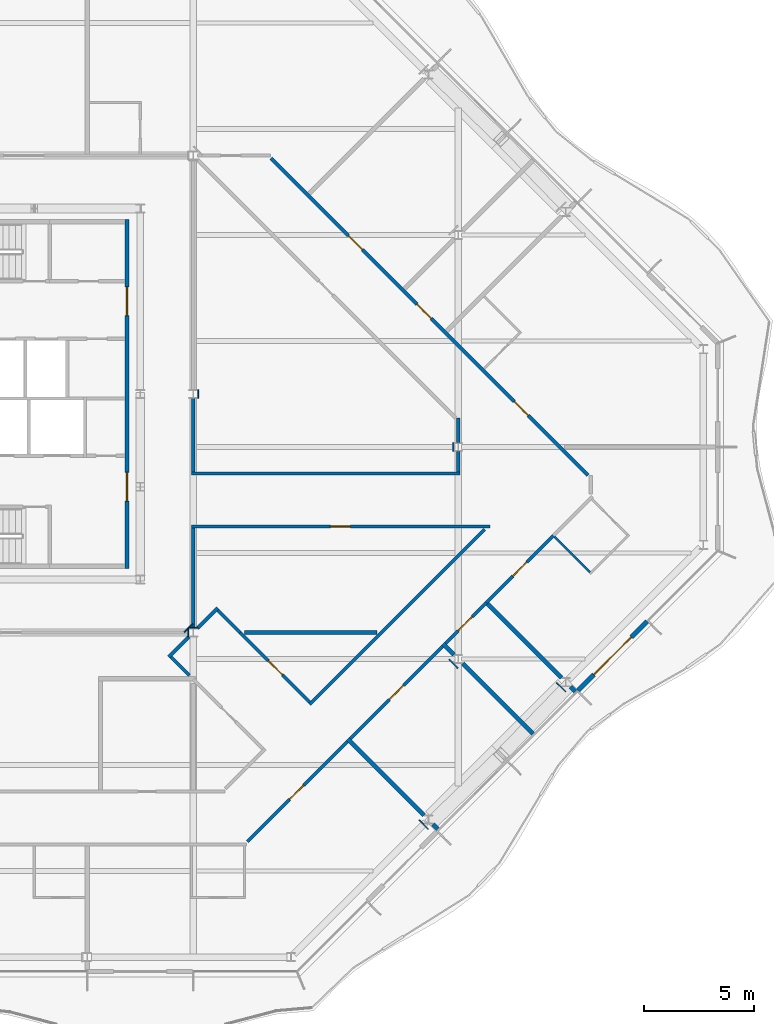
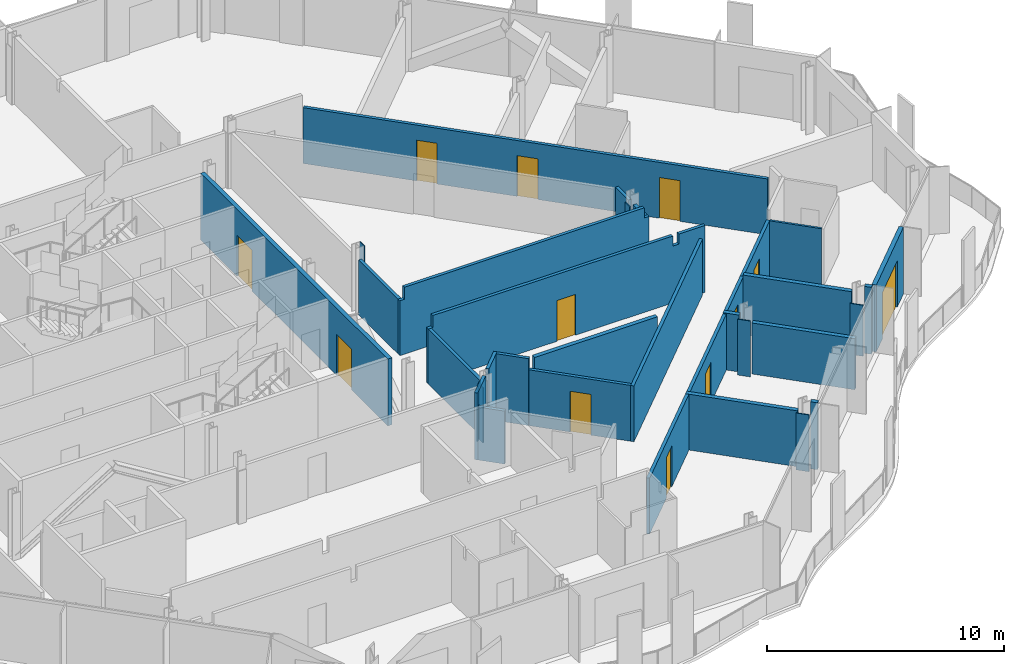
# One storey, part 9 of 17: 35 walls, 12 doors, 12 openings.
"""IFC4 building model written with IfcOpenShell, lengths in metres."""

from ifc_helpers import new_model, si_unit, direction, frame, frame_2d, origin, place, context, subcontext, project, spatial, polyline, rectangle, outline, extrude, material, layer, layer_set, type_object, element, fill, save


model = new_model("IFC4")

# Units and contexts
model_context = context("Model", 3, precision=1e-05, world=origin(), true_north=direction((0.0, 1.0)))
body_context = subcontext(model_context, "Body", "Model", "MODEL_VIEW")
ifc_project = project(units=[si_unit("LENGTHUNIT", "METRE"), si_unit("AREAUNIT", "SQUARE_METRE"), si_unit("VOLUMEUNIT", "CUBIC_METRE"), si_unit("PLANEANGLEUNIT", "RADIAN"), si_unit("MASSUNIT", "GRAM", prefix="KILO")], contexts=[model_context])

# Site, building, storey
site_placement = place(None, origin())
site = spatial("IfcSite", under=ifc_project, at=site_placement, CompositionType="ELEMENT")
building_placement = place(site_placement, origin())
building = spatial("IfcBuilding", under=site, at=building_placement, Name="Cairn Pilgrim Tower", CompositionType="ELEMENT")
storey_placement = place(building_placement, frame((0.0, 0.0, 235.800048828125)))
storey = spatial("IfcBuildingStorey", under=building, at=storey_placement, Name="L60", CompositionType="ELEMENT", Elevation=235.800048828125)

# Wall, opening, door
ifc_material_1 = material(Name="Bronze anodised aluminium insulated sandwich panel with mineral wool fill", Category="aluminium")
ifc_layer_1 = layer(ifc_material_1, 0.199951171875)
ifc_layer_set_1 = layer_set([ifc_layer_1], Name="BRONZE INFILL FRAME WALL 200")
wall_type_1 = type_object("IfcWallType", Name="BRONZE INFILL FRAME WALL 200", PredefinedType="NOTDEFINED", material=ifc_layer_set_1)
wall_1_placement = place(storey_placement, frame((36.6201171875, -11.0263671875, 0.0), z_axis=(0.0, 0.0, 1.0), x_axis=(0.707106781187, 0.707106781187, 0.0)))
wall_1 = element("IfcWall", 1, at=wall_1_placement, inside=storey, type_object=wall_type_1, Name="Bronze infill frame wall IW-SE5", PredefinedType="NOTDEFINED", context=body_context, shape_type="SweptSolid", body=[
    extrude(rectangle(XDim=4.430908203125, YDim=0.199951171875, at=frame_2d((2.21533203125, 0.0))), origin(), (0.0, 0.0, 1.0), 3.449951171875),
])
opening_1_placement = place(wall_1_placement, frame((1.01513671875, 0.0, 0.0)))
opening_1 = element("IfcOpeningElement", 2, at=opening_1_placement, cuts=wall_1, Name="Opening 6004B2", PredefinedType="OPENING", context=body_context, shape_type="SweptSolid", body=[
    extrude(rectangle(XDim=2.39990234375, YDim=2.39990234375, at=frame_2d((1.199951171875, 1.199951171875))), frame((0.0, 0.10986328125, 0.0), z_axis=(0.0, -1.0, 0.0), x_axis=(1.0, 0.0, 0.0)), (0.0, 0.0, 1.0), 0.219970703125),
])
ifc_material_2 = material(Name="Bronze anodised aluminium frame with tinted low-E glass", Category="aluminium")
door_type_1 = type_object("IfcDoorType", Name="BALCONY SLIDING DOOR 2400x2400", OperationType="DOUBLE_DOOR_SLIDING", PredefinedType="DOOR", material=ifc_material_2)
door_1_placement = place(opening_1_placement, origin())
door_1 = element("IfcDoor", 3, at=door_1_placement, inside=storey, type_object=door_type_1, Name="Balcony sliding door 6004B2", OperationType="SINGLE_SWING_LEFT", OverallHeight=2.39990234375, OverallWidth=2.39990234375, PredefinedType="DOOR", context=body_context, shape_type="SweptSolid", body=[
    extrude(rectangle(XDim=2.39990234375, YDim=2.39990234375, at=frame_2d((1.199951171875, 1.199951171875))), frame((0.0, 0.02490234375, 0.0), z_axis=(0.0, -1.0, 0.0), x_axis=(1.0, 0.0, 0.0)), (0.0, 0.0, 1.0), 0.050048828125),
])
fill(opening_1, door_1)

# Wall, openings, doors
ifc_material_3 = material(Name="Concrete C32/40", Category="concrete")
ifc_layer_2 = layer(ifc_material_3, 0.199951171875)
ifc_layer_set_2 = layer_set([ifc_layer_2], Name="CORE OUTER WALL 200 EI 120")
wall_type_2 = type_object("IfcWallType", Name="CORE OUTER WALL 200 EI 120", PredefinedType="SOLIDWALL", material=ifc_layer_set_2)
wall_2_placement = place(storey_placement, frame((16.199951171875, -5.5, 0.0), z_axis=(0.0, 0.0, 1.0), x_axis=(0.0, 1.0, 0.0)))
wall_2 = element("IfcWall", 4, at=wall_2_placement, inside=storey, type_object=wall_type_2, Name="CW:L60:V29", PredefinedType="SOLIDWALL", context=body_context, shape_type="SweptSolid", body=[
    extrude(rectangle(XDim=15.800048828125, YDim=0.199951171875, at=frame_2d((7.89990234375, 0.0))), origin(), (0.0, 0.0, 1.0), 3.449951171875),
])
opening_2_placement = place(wall_2_placement, frame((3.050048828125, 0.0, 0.0)))
opening_2 = element("IfcOpeningElement", 5, at=opening_2_placement, cuts=wall_2, Name="Opening CD-E1", PredefinedType="OPENING", context=body_context, shape_type="SweptSolid", body=[
    extrude(rectangle(XDim=1.300048828125, YDim=2.10009765625, at=frame_2d((0.64990234375, 1.050048828125))), frame((0.0, 0.10986328125, 0.0), z_axis=(0.0, -1.0, 0.0), x_axis=(1.0, 0.0, 0.0)), (0.0, 0.0, 1.0), 0.219970703125),
])
opening_3_placement = place(wall_2_placement, frame((11.449951171875, 0.0, 0.0)))
opening_3 = element("IfcOpeningElement", 6, at=opening_3_placement, cuts=wall_2, Name="Opening CD-E2", PredefinedType="OPENING", context=body_context, shape_type="SweptSolid", body=[
    extrude(rectangle(XDim=1.300048828125, YDim=2.10009765625, at=frame_2d((0.64990234375, 1.050048828125))), frame((0.0, 0.10986328125, 0.0), z_axis=(0.0, -1.0, 0.0), x_axis=(1.0, 0.0, 0.0)), (0.0, 0.0, 1.0), 0.219970703125),
])
ifc_material_4 = material(Name="Painted steel", Category="steel")
door_type_2 = type_object("IfcDoorType", Name="CORE LOBBY DOOR 1300x2100", OperationType="DOUBLE_DOOR_SINGLE_SWING", PredefinedType="DOOR", material=ifc_material_4)
door_2_placement = place(opening_2_placement, origin())
door_2 = element("IfcDoor", 7, at=door_2_placement, inside=storey, type_object=door_type_2, Name="CD-E1", OperationType="DOUBLE_DOOR_SINGLE_SWING", OverallHeight=2.10009765625, OverallWidth=1.300048828125, PredefinedType="DOOR", context=body_context, shape_type="SweptSolid", body=[
    extrude(rectangle(XDim=1.300048828125, YDim=2.10009765625, at=frame_2d((0.64990234375, 1.050048828125))), frame((0.0, 0.02490234375, 0.0), z_axis=(0.0, -1.0, 0.0), x_axis=(1.0, 0.0, 0.0)), (0.0, 0.0, 1.0), 0.050048828125),
])
fill(opening_2, door_2)
door_3_placement = place(opening_3_placement, origin())
door_3 = element("IfcDoor", 8, at=door_3_placement, inside=storey, type_object=door_type_2, Name="CD-E2", OperationType="DOUBLE_DOOR_SINGLE_SWING", OverallHeight=2.10009765625, OverallWidth=1.300048828125, PredefinedType="DOOR", context=body_context, shape_type="SweptSolid", body=[
    extrude(rectangle(XDim=1.300048828125, YDim=2.10009765625, at=frame_2d((0.64990234375, 1.050048828125))), frame((0.0, 0.02490234375, 0.0), z_axis=(0.0, -1.0, 0.0), x_axis=(1.0, 0.0, 0.0)), (0.0, 0.0, 1.0), 0.050048828125),
])
fill(opening_3, door_3)

# Wall
ifc_material_5 = material(Name="Gypsum partition")
ifc_layer_3 = layer(ifc_material_5, 0.10009765625)
ifc_layer_set_3 = layer_set([ifc_layer_3], Name="PARTITION 100 DRYWALL")
wall_type_3 = type_object("IfcWallType", Name="PARTITION 100 DRYWALL", PredefinedType="PARTITIONING", material=ifc_layer_set_3)
wall_3_placement = place(storey_placement, frame((37.16455078125, -5.673583984375, 0.0), z_axis=(0.0, 0.0, 1.0), x_axis=(-0.707106781187, 0.707106781187, 0.0)))
element("IfcWall", 9, at=wall_3_placement, inside=storey, type_object=wall_type_3, Name="PARTITION W042", PredefinedType="PARTITIONING", context=body_context, shape_type="SweptSolid", body=[
    extrude(rectangle(XDim=2.27490234375, YDim=0.10009765625, at=frame_2d((1.137451171875, 0.0))), origin(), (0.0, 0.0, 1.0), 2.929931640625),
])

# Wall, opening, door
ifc_layer_4 = layer(ifc_material_5, 0.14990234375)
ifc_layer_set_4 = layer_set([ifc_layer_4], Name="PARTITION 150 DRYWALL EI 60")
wall_type_4 = type_object("IfcWallType", Name="PARTITION 150 DRYWALL EI 60", PredefinedType="PARTITIONING", material=ifc_layer_set_4)
wall_4_placement = place(storey_placement, frame((21.64306640625, -17.8720703125, 0.0), z_axis=(0.0, 0.0, 1.0), x_axis=(0.707106781187, 0.707106781187, 0.0)))
wall_4 = element("IfcWall", 10, at=wall_4_placement, inside=storey, type_object=wall_type_4, Name="PARTITION W009", PredefinedType="PARTITIONING", context=body_context, shape_type="SweptSolid", body=[
    extrude(rectangle(XDim=6.408203125, YDim=0.14990234375, at=frame_2d((3.2041015625, 0.0))), origin(), (0.0, 0.0, 1.0), 2.8798828125),
])
opening_4_placement = place(wall_4_placement, frame((2.713134765625, 0.0, 0.0)))
opening_4 = element("IfcOpeningElement", 11, at=opening_4_placement, cuts=wall_4, Name="Opening 6001", PredefinedType="OPENING", context=body_context, shape_type="SweptSolid", body=[
    extrude(rectangle(XDim=0.89990234375, YDim=2.10009765625, at=frame_2d((0.449951171875, 1.050048828125))), frame((0.0, 0.0849609375, 0.0), z_axis=(0.0, -1.0, 0.0), x_axis=(1.0, 0.0, 0.0)), (0.0, 0.0, 1.0), 0.169921875),
])
ifc_material_6 = material(Name="Timber door leaf", Category="wood")
door_type_3 = type_object("IfcDoorType", Name="ROOM DOOR 900x2100 FD30S", OperationType="NOTDEFINED", PredefinedType="DOOR", material=ifc_material_6)
door_4_placement = place(opening_4_placement, frame((0.89990234375, 0.0, 0.0), z_axis=(0.0, 0.0, 1.0), x_axis=(-1.0, 0.0, 0.0)))
door_4 = element("IfcDoor", 12, at=door_4_placement, inside=storey, type_object=door_type_3, Name="DOOR 6001", OperationType="SINGLE_SWING_RIGHT", OverallHeight=2.10009765625, OverallWidth=0.89990234375, PredefinedType="DOOR", context=body_context, shape_type="SweptSolid", body=[
    extrude(rectangle(XDim=0.89990234375, YDim=2.10009765625, at=frame_2d((0.449951171875, 1.050048828125))), frame((0.0, 0.02490234375, 0.0), z_axis=(0.0, -1.0, 0.0), x_axis=(1.0, 0.0, 0.0)), (0.0, 0.0, 1.0), 0.050048828125),
])
fill(opening_4, door_4)

wall_5_placement = place(storey_placement, frame((26.315673828125, -13.19921875, 0.0), z_axis=(0.0, 0.0, 1.0), x_axis=(0.707024001185, 0.707189551498, 0.0)))
wall_5 = element("IfcWall", 13, at=wall_5_placement, inside=storey, type_object=wall_type_4, Name="PARTITION W020", PredefinedType="PARTITIONING", context=body_context, shape_type="SweptSolid", body=[
    extrude(rectangle(XDim=5.89892578125, YDim=0.14990234375, at=frame_2d((2.949462890625, 0.0))), origin(), (0.0, 0.0, 1.0), 2.8798828125),
])
opening_5_placement = place(wall_5_placement, frame((2.499755859375, 0.0, 0.0)))
opening_5 = element("IfcOpeningElement", 14, at=opening_5_placement, cuts=wall_5, Name="Opening 6002", PredefinedType="OPENING", context=body_context, shape_type="SweptSolid", body=[
    extrude(rectangle(XDim=0.89990234375, YDim=2.10009765625, at=frame_2d((0.449951171875, 1.050048828125))), frame((0.0, 0.0849609375, 0.0), z_axis=(0.0, -1.0, 0.0), x_axis=(1.0, 0.0, 0.0)), (0.0, 0.0, 1.0), 0.169921875),
])
door_type_4 = type_object("IfcDoorType", Name="SERVICE DOOR 900x2100 FD30S", OperationType="NOTDEFINED", PredefinedType="DOOR", material=ifc_material_6)
door_5_placement = place(opening_5_placement, frame((0.89990234375, 0.0, 0.0), z_axis=(0.0, 0.0, 1.0), x_axis=(-1.0, 0.0, 0.0)))
door_5 = element("IfcDoor", 15, at=door_5_placement, inside=storey, type_object=door_type_4, Name="DOOR 6002", OperationType="SINGLE_SWING_RIGHT", OverallHeight=2.10009765625, OverallWidth=0.89990234375, PredefinedType="DOOR", context=body_context, shape_type="SweptSolid", body=[
    extrude(rectangle(XDim=0.89990234375, YDim=2.10009765625, at=frame_2d((0.449951171875, 1.050048828125))), frame((0.0, 0.02490234375, 0.0), z_axis=(0.0, -1.0, 0.0), x_axis=(1.0, 0.0, 0.0)), (0.0, 0.0, 1.0), 0.050048828125),
])
fill(opening_5, door_5)

# Wall
wall_6_placement = place(storey_placement, frame((24.468017578125, -11.653076171875, 0.0), z_axis=(0.0, 0.0, 1.0), x_axis=(0.707095889299, 0.707117672906, 0.0)))
element("IfcWall", 16, at=wall_6_placement, inside=storey, type_object=wall_type_4, Name="PARTITION W022", PredefinedType="PARTITIONING", context=body_context, shape_type="SweptSolid", body=[
    extrude(rectangle(XDim=11.20751953125, YDim=0.14990234375, at=frame_2d((5.603759765625, 0.0))), origin(), (0.0, 0.0, 1.0), 2.8798828125),
])

# Wall, opening, door
wall_7_placement = place(storey_placement, frame((24.468017578125, -11.547119140625, 0.0), z_axis=(0.0, 0.0, 1.0), x_axis=(-0.707079353217, 0.707134208093, 0.0)))
wall_7 = element("IfcWall", 17, at=wall_7_placement, inside=storey, type_object=wall_type_4, Name="PARTITION W023", PredefinedType="PARTITIONING", context=body_context, shape_type="SweptSolid", body=[
    extrude(rectangle(XDim=4.45068359375, YDim=0.14990234375, at=frame_2d((2.225341796875, 0.0))), origin(), (0.0, 0.0, 1.0), 2.8798828125),
])
opening_6_placement = place(wall_7_placement, frame((1.738525390625, 0.0, 0.0)))
opening_6 = element("IfcOpeningElement", 18, at=opening_6_placement, cuts=wall_7, Name="Opening 6018", PredefinedType="OPENING", context=body_context, shape_type="SweptSolid", body=[
    extrude(rectangle(XDim=0.89990234375, YDim=2.10009765625, at=frame_2d((0.449951171875, 1.050048828125))), frame((0.0, 0.0849609375, 0.0), z_axis=(0.0, -1.0, 0.0), x_axis=(1.0, 0.0, 0.0)), (0.0, 0.0, 1.0), 0.169921875),
])
door_6_placement = place(opening_6_placement, frame((0.89990234375, 0.0, 0.0), z_axis=(0.0, 0.0, 1.0), x_axis=(-1.0, 0.0, 0.0)))
door_6 = element("IfcDoor", 19, at=door_6_placement, inside=storey, type_object=door_type_4, Name="DOOR 6018", OperationType="SINGLE_SWING_LEFT", OverallHeight=2.10009765625, OverallWidth=0.89990234375, PredefinedType="DOOR", context=body_context, shape_type="SweptSolid", body=[
    extrude(rectangle(XDim=0.89990234375, YDim=2.10009765625, at=frame_2d((0.449951171875, 1.050048828125))), frame((0.0, 0.02490234375, 0.0), z_axis=(0.0, -1.0, 0.0), x_axis=(1.0, 0.0, 0.0)), (0.0, 0.0, 1.0), 0.050048828125),
])
fill(opening_6, door_6)

# Walls
wall_8_placement = place(storey_placement, frame((19.02587890625, -10.346923828125, 0.0), z_axis=(0.0, 0.0, 1.0), x_axis=(-0.707417437998, 0.706795987833, 0.0)))
element("IfcWall", 20, at=wall_8_placement, inside=storey, type_object=wall_type_4, Name="PARTITION W030", PredefinedType="PARTITIONING", context=body_context, shape_type="SweptSolid", body=[
    extrude(rectangle(XDim=1.178466796875, YDim=0.14990234375, at=frame_2d((0.58935546875, 0.0))), origin(), (0.0, 0.0, 1.0), 2.72998046875),
])
wall_9_placement = place(storey_placement, frame((18.0859375, -9.513916015625, 0.0), z_axis=(0.0, 0.0, 1.0), x_axis=(0.707200419109, 0.707013130862, 0.0)))
element("IfcWall", 21, at=wall_9_placement, inside=storey, type_object=wall_type_4, Name="PARTITION W031", PredefinedType="PARTITIONING", context=body_context, shape_type="SweptSolid", body=[
    extrude(rectangle(XDim=1.303466796875, YDim=0.14990234375, at=frame_2d((0.65185546875, 0.0))), origin(), (0.0, 0.0, 1.0), 3.449951171875),
])

# Wall, opening, door
wall_10_placement = place(storey_placement, frame((30.627685546875, -8.88623046875, 0.0), z_axis=(0.0, 0.0, 1.0), x_axis=(0.707106781187, 0.707106781187, 0.0)))
wall_10 = element("IfcWall", 22, at=wall_10_placement, inside=storey, type_object=wall_type_4, Name="PARTITION W033", PredefinedType="PARTITIONING", context=body_context, shape_type="SweptSolid", body=[
    extrude(rectangle(XDim=2.60400390625, YDim=0.14990234375, at=frame_2d((1.302001953125, 0.0))), origin(), (0.0, 0.0, 1.0), 2.929931640625),
])
opening_7_placement = place(wall_10_placement, frame((0.802001953125, 0.0, 0.0)))
opening_7 = element("IfcOpeningElement", 23, at=opening_7_placement, cuts=wall_10, Name="Opening 6003", PredefinedType="OPENING", context=body_context, shape_type="SweptSolid", body=[
    extrude(rectangle(XDim=0.89990234375, YDim=2.10009765625, at=frame_2d((0.449951171875, 1.050048828125))), frame((0.0, 0.0849609375, 0.0), z_axis=(0.0, -1.0, 0.0), x_axis=(1.0, 0.0, 0.0)), (0.0, 0.0, 1.0), 0.169921875),
])
door_7_placement = place(opening_7_placement, frame((0.89990234375, 0.0, 0.0), z_axis=(0.0, 0.0, 1.0), x_axis=(-1.0, 0.0, 0.0)))
door_7 = element("IfcDoor", 24, at=door_7_placement, inside=storey, type_object=door_type_4, Name="DOOR 6003", OperationType="SINGLE_SWING_RIGHT", OverallHeight=2.10009765625, OverallWidth=0.89990234375, PredefinedType="DOOR", context=body_context, shape_type="SweptSolid", body=[
    extrude(rectangle(XDim=0.89990234375, YDim=2.10009765625, at=frame_2d((0.449951171875, 1.050048828125))), frame((0.0, 0.02490234375, 0.0), z_axis=(0.0, -1.0, 0.0), x_axis=(1.0, 0.0, 0.0)), (0.0, 0.0, 1.0), 0.050048828125),
])
fill(opening_7, door_7)

# Walls
wall_11_placement = place(storey_placement, frame((21.321044921875, -8.39990234375, 0.0), z_axis=(0.0, 0.0, 1.0), x_axis=(-0.706763941595, 0.707449454633, 0.0)))
element("IfcWall", 25, at=wall_11_placement, inside=storey, type_object=wall_type_4, Name="PARTITION W036", PredefinedType="PARTITIONING", context=body_context, shape_type="SweptSolid", body=[
    extrude(rectangle(XDim=1.424560546875, YDim=0.14990234375, at=frame_2d((0.71240234375, 0.0))), origin(), (0.0, 0.0, 1.0), 3.449951171875),
])
wall_12_placement = place(storey_placement, frame((19.199951171875, -8.21240234375, 0.0), z_axis=(0.0, 0.0, 1.0), x_axis=(0.0, 1.0, 0.0)))
element("IfcWall", 26, at=wall_12_placement, inside=storey, type_object=wall_type_4, Name="PARTITION W039", PredefinedType="PARTITIONING", context=body_context, shape_type="SweptSolid", body=[
    extrude(rectangle(XDim=4.537353515625, YDim=0.14990234375, at=frame_2d((2.2685546875, 0.0))), origin(), (0.0, 0.0, 1.0), 2.829833984375),
])
wall_13_placement = place(storey_placement, frame((19.392333984375, -8.207763671875, 0.0), z_axis=(0.0, 0.0, 1.0), x_axis=(0.707106781187, 0.707106781187, 0.0)))
element("IfcWall", 27, at=wall_13_placement, inside=storey, type_object=wall_type_4, Name="PARTITION W040", PredefinedType="PARTITIONING", context=body_context, shape_type="SweptSolid", body=[
    extrude(rectangle(XDim=1.3037109375, YDim=0.14990234375, at=frame_2d((0.65185546875, 0.0))), origin(), (0.0, 0.0, 1.0), 3.449951171875),
])

# Wall, opening, door
wall_14_placement = place(storey_placement, frame((32.468994140625, -7.044921875, 0.0), z_axis=(0.0, 0.0, 1.0), x_axis=(0.70722059203, 0.706992952022, 0.0)))
wall_14 = element("IfcWall", 28, at=wall_14_placement, inside=storey, type_object=wall_type_4, Name="PARTITION W041", PredefinedType="PARTITIONING", context=body_context, shape_type="SweptSolid", body=[
    extrude(rectangle(XDim=4.2900390625, YDim=0.14990234375, at=frame_2d((2.14501953125, 0.0))), origin(), (0.0, 0.0, 1.0), 2.929931640625),
])
opening_8_placement = place(wall_14_placement, frame((1.695068359375, 0.0, 0.0)))
opening_8 = element("IfcOpeningElement", 29, at=opening_8_placement, cuts=wall_14, Name="Opening 6004", PredefinedType="OPENING", context=body_context, shape_type="SweptSolid", body=[
    extrude(rectangle(XDim=0.89990234375, YDim=2.10009765625, at=frame_2d((0.449951171875, 1.050048828125))), frame((0.0, 0.0849609375, 0.0), z_axis=(0.0, -1.0, 0.0), x_axis=(1.0, 0.0, 0.0)), (0.0, 0.0, 1.0), 0.169921875),
])
door_8_placement = place(opening_8_placement, frame((0.89990234375, 0.0, 0.0), z_axis=(0.0, 0.0, 1.0), x_axis=(-1.0, 0.0, 0.0)))
door_8 = element("IfcDoor", 30, at=door_8_placement, inside=storey, type_object=door_type_3, Name="DOOR 6004", OperationType="SINGLE_SWING_RIGHT", OverallHeight=2.10009765625, OverallWidth=0.89990234375, PredefinedType="DOOR", context=body_context, shape_type="SweptSolid", body=[
    extrude(rectangle(XDim=0.89990234375, YDim=2.10009765625, at=frame_2d((0.449951171875, 1.050048828125))), frame((0.0, 0.02490234375, 0.0), z_axis=(0.0, -1.0, 0.0), x_axis=(1.0, 0.0, 0.0)), (0.0, 0.0, 1.0), 0.050048828125),
])
fill(opening_8, door_8)

wall_15_placement = place(storey_placement, frame((19.125, -3.60009765625, 0.0), z_axis=(0.0, 0.0, 1.0), x_axis=(1.0, 0.0, 0.0)))
wall_15 = element("IfcWall", 31, at=wall_15_placement, inside=storey, type_object=wall_type_4, Name="PARTITION W046", PredefinedType="PARTITIONING", context=body_context, shape_type="SweptSolid", body=[
    extrude(outline(polyline([(0.0, 0.0), (13.502197265625, 0.0), (13.502197265625, 3.449951171875), (12.22509765625, 3.449951171875), (12.222900390625, 2.929931640625), (11.925048828125, 2.929931640625), (11.923095703125, 3.449951171875), (0.22509765625, 3.449951171875), (0.222900390625, 2.829833984375), (0.0, 2.829833984375), (0.0, 0.0)])), frame((0.0, 0.074951171875, 0.0), z_axis=(0.0, -1.0, 0.0), x_axis=(1.0, 0.0, 0.0)), (0.0, 0.0, 1.0), 0.14990234375),
])
opening_9_placement = place(wall_15_placement, frame((6.285888671875, 0.0, 0.0)))
opening_9 = element("IfcOpeningElement", 32, at=opening_9_placement, cuts=wall_15, Name="Opening 6019", PredefinedType="OPENING", context=body_context, shape_type="SweptSolid", body=[
    extrude(rectangle(XDim=0.89990234375, YDim=2.10009765625, at=frame_2d((0.449951171875, 1.050048828125))), frame((0.0, 0.0849609375, 0.0), z_axis=(0.0, -1.0, 0.0), x_axis=(1.0, 0.0, 0.0)), (0.0, 0.0, 1.0), 0.169921875),
])
door_9_placement = place(opening_9_placement, frame((0.89990234375, 0.0, 0.0), z_axis=(0.0, 0.0, 1.0), x_axis=(-1.0, 0.0, 0.0)))
door_9 = element("IfcDoor", 33, at=door_9_placement, inside=storey, type_object=door_type_4, Name="DOOR 6019", OperationType="SINGLE_SWING_LEFT", OverallHeight=2.10009765625, OverallWidth=0.89990234375, PredefinedType="DOOR", context=body_context, shape_type="SweptSolid", body=[
    extrude(rectangle(XDim=0.89990234375, YDim=2.10009765625, at=frame_2d((0.449951171875, 1.050048828125))), frame((0.0, 0.02490234375, 0.0), z_axis=(0.0, -1.0, 0.0), x_axis=(1.0, 0.0, 0.0)), (0.0, 0.0, 1.0), 0.050048828125),
])
fill(opening_9, door_9)

# Wall, openings, doors
wall_16_placement = place(storey_placement, frame((37.072021484375, -1.278076171875, 0.0), z_axis=(0.0, 0.0, 1.0), x_axis=(-0.707106781187, 0.707106781187, 0.0)))
wall_16 = element("IfcWall", 34, at=wall_16_placement, inside=storey, type_object=wall_type_4, Name="PARTITION W050", PredefinedType="PARTITIONING", context=body_context, shape_type="SweptSolid", body=[
    extrude(rectangle(XDim=20.294189453125, YDim=0.14990234375, at=frame_2d((10.14697265625, 0.0))), origin(), (0.0, 0.0, 1.0), 2.8798828125),
])
opening_10_placement = place(wall_16_placement, frame((3.823974609375, 0.0, 0.0)))
opening_10 = element("IfcOpeningElement", 35, at=opening_10_placement, cuts=wall_16, Name="Opening 6005", PredefinedType="OPENING", context=body_context, shape_type="SweptSolid", body=[
    extrude(rectangle(XDim=0.89990234375, YDim=2.10009765625, at=frame_2d((0.449951171875, 1.050048828125))), frame((0.0, 0.0849609375, 0.0), z_axis=(0.0, -1.0, 0.0), x_axis=(1.0, 0.0, 0.0)), (0.0, 0.0, 1.0), 0.169921875),
])
opening_11_placement = place(wall_16_placement, frame((10.0419921875, 0.0, 0.0)))
opening_11 = element("IfcOpeningElement", 36, at=opening_11_placement, cuts=wall_16, Name="Opening 6006", PredefinedType="OPENING", context=body_context, shape_type="SweptSolid", body=[
    extrude(rectangle(XDim=0.89990234375, YDim=2.10009765625, at=frame_2d((0.449951171875, 1.050048828125))), frame((0.0, 0.0849609375, 0.0), z_axis=(0.0, -1.0, 0.0), x_axis=(1.0, 0.0, 0.0)), (0.0, 0.0, 1.0), 0.169921875),
])
opening_12_placement = place(wall_16_placement, frame((14.443115234375, 0.0, 0.0)))
opening_12 = element("IfcOpeningElement", 37, at=opening_12_placement, cuts=wall_16, Name="Opening 6007", PredefinedType="OPENING", context=body_context, shape_type="SweptSolid", body=[
    extrude(rectangle(XDim=0.89990234375, YDim=2.10009765625, at=frame_2d((0.449951171875, 1.050048828125))), frame((0.0, 0.0849609375, 0.0), z_axis=(0.0, -1.0, 0.0), x_axis=(1.0, 0.0, 0.0)), (0.0, 0.0, 1.0), 0.169921875),
])
door_10_placement = place(opening_10_placement, frame((0.89990234375, 0.0, 0.0), z_axis=(0.0, 0.0, 1.0), x_axis=(-1.0, 0.0, 0.0)))
door_10 = element("IfcDoor", 38, at=door_10_placement, inside=storey, type_object=door_type_3, Name="DOOR 6005", OperationType="SINGLE_SWING_RIGHT", OverallHeight=2.10009765625, OverallWidth=0.89990234375, PredefinedType="DOOR", context=body_context, shape_type="SweptSolid", body=[
    extrude(rectangle(XDim=0.89990234375, YDim=2.10009765625, at=frame_2d((0.449951171875, 1.050048828125))), frame((0.0, 0.02490234375, 0.0), z_axis=(0.0, -1.0, 0.0), x_axis=(1.0, 0.0, 0.0)), (0.0, 0.0, 1.0), 0.050048828125),
])
fill(opening_10, door_10)
door_11_placement = place(opening_11_placement, frame((0.89990234375, 0.0, 0.0), z_axis=(0.0, 0.0, 1.0), x_axis=(-1.0, 0.0, 0.0)))
door_11 = element("IfcDoor", 39, at=door_11_placement, inside=storey, type_object=door_type_4, Name="DOOR 6006", OperationType="SINGLE_SWING_RIGHT", OverallHeight=2.10009765625, OverallWidth=0.89990234375, PredefinedType="DOOR", context=body_context, shape_type="SweptSolid", body=[
    extrude(rectangle(XDim=0.89990234375, YDim=2.10009765625, at=frame_2d((0.449951171875, 1.050048828125))), frame((0.0, 0.02490234375, 0.0), z_axis=(0.0, -1.0, 0.0), x_axis=(1.0, 0.0, 0.0)), (0.0, 0.0, 1.0), 0.050048828125),
])
fill(opening_11, door_11)
door_12_placement = place(opening_12_placement, frame((0.89990234375, 0.0, 0.0), z_axis=(0.0, 0.0, 1.0), x_axis=(-1.0, 0.0, 0.0)))
door_12 = element("IfcDoor", 40, at=door_12_placement, inside=storey, type_object=door_type_4, Name="DOOR 6007", OperationType="SINGLE_SWING_RIGHT", OverallHeight=2.10009765625, OverallWidth=0.89990234375, PredefinedType="DOOR", context=body_context, shape_type="SweptSolid", body=[
    extrude(rectangle(XDim=0.89990234375, YDim=2.10009765625, at=frame_2d((0.449951171875, 1.050048828125))), frame((0.0, 0.02490234375, 0.0), z_axis=(0.0, -1.0, 0.0), x_axis=(1.0, 0.0, 0.0)), (0.0, 0.0, 1.0), 0.050048828125),
])
fill(opening_12, door_12)

# Walls
wall_17_placement = place(storey_placement, frame((19.125, -1.199951171875, 0.0), z_axis=(0.0, 0.0, 1.0), x_axis=(1.0, 0.0, 0.0)))
element("IfcWall", 41, at=wall_17_placement, inside=storey, type_object=wall_type_4, Name="PARTITION W051", PredefinedType="PARTITIONING", context=body_context, shape_type="SweptSolid", body=[
    extrude(outline(polyline([(0.0, 0.0), (12.14990234375, 0.0), (12.14990234375, 2.929931640625), (11.925048828125, 2.929931640625), (11.923095703125, 3.449951171875), (0.22509765625, 3.449951171875), (0.222900390625, 2.829833984375), (0.0, 2.829833984375), (0.0, 0.0)])), frame((0.0, 0.074951171875, 0.0), z_axis=(0.0, -1.0, 0.0), x_axis=(1.0, 0.0, 0.0)), (0.0, 0.0, 1.0), 0.14990234375),
])
wall_18_placement = place(storey_placement, frame((19.199951171875, -1.125, 0.0), z_axis=(0.0, 0.0, 1.0), x_axis=(0.0, 1.0, 0.0)))
element("IfcWall", 42, at=wall_18_placement, inside=storey, type_object=wall_type_4, Name="PARTITION W052", PredefinedType="PARTITIONING", context=body_context, shape_type="SweptSolid", body=[
    extrude(rectangle(XDim=3.33740234375, YDim=0.14990234375, at=frame_2d((1.668701171875, 0.0))), origin(), (0.0, 0.0, 1.0), 2.829833984375),
])
wall_19_placement = place(storey_placement, frame((31.199951171875, -1.125, 0.0), z_axis=(0.0, 0.0, 1.0), x_axis=(0.0, 1.0, 0.0)))
element("IfcWall", 43, at=wall_19_placement, inside=storey, type_object=wall_type_4, Name="PARTITION W053", PredefinedType="PARTITIONING", context=body_context, shape_type="SweptSolid", body=[
    extrude(rectangle(XDim=0.928466796875, YDim=0.14990234375, at=frame_2d((0.46435546875, 0.0))), origin(), (0.0, 0.0, 1.0), 2.929931640625),
])
wall_20_placement = place(storey_placement, frame((31.199951171875, 0.196533203125, 0.0), z_axis=(0.0, 0.0, 1.0), x_axis=(0.0, 1.0, 0.0)))
element("IfcWall", 44, at=wall_20_placement, inside=storey, type_object=wall_type_4, Name="PARTITION W056", PredefinedType="PARTITIONING", context=body_context, shape_type="SweptSolid", body=[
    extrude(rectangle(XDim=1.109619140625, YDim=0.14990234375, at=frame_2d((0.5546875, 0.0))), origin(), (0.0, 0.0, 1.0), 2.929931640625),
])
ifc_layer_5 = layer(ifc_material_5, 0.050048828125)
ifc_layer_set_5 = layer_set([ifc_layer_5], Name="PARTITION 50 DRYWALL EI 60")
wall_type_5 = type_object("IfcWallType", Name="PARTITION 50 DRYWALL EI 60", PredefinedType="PARTITIONING", material=ifc_layer_set_5)
wall_21_placement = place(storey_placement, frame((29.833984375, -17.298828125, 0.0), z_axis=(0.0, 0.0, 1.0), x_axis=(-0.707319540847, 0.70689395749, 0.0)))
element("IfcWall", 45, at=wall_21_placement, inside=storey, type_object=wall_type_5, Name="COLUMN CASING WC02", PredefinedType="PARTITIONING", context=body_context, shape_type="SweptSolid", body=[
    extrude(rectangle(XDim=0.57373046875, YDim=0.050048828125, at=frame_2d((0.286865234375, 0.0))), origin(), (0.0, 0.0, 1.0), 2.929931640625),
])
wall_22_placement = place(storey_placement, frame((31.182373046875, -10.013671875, 0.0), z_axis=(0.0, 0.0, 1.0), x_axis=(-0.707106781187, 0.707106781187, 0.0)))
element("IfcWall", 46, at=wall_22_placement, inside=storey, type_object=wall_type_5, Name="COLUMN CASING WC06", PredefinedType="PARTITIONING", context=body_context, shape_type="SweptSolid", body=[
    extrude(rectangle(XDim=0.56005859375, YDim=0.050048828125, at=frame_2d((0.280029296875, 0.0))), origin(), (0.0, 0.0, 1.0), 2.8798828125),
])
wall_23_placement = place(storey_placement, frame((36.05810546875, -11.07470703125, 0.0), z_axis=(0.0, 0.0, 1.0), x_axis=(-0.707106781187, 0.707106781187, 0.0)))
element("IfcWall", 47, at=wall_23_placement, inside=storey, type_object=wall_type_5, Name="COLUMN CASING WC07", PredefinedType="PARTITIONING", context=body_context, shape_type="SweptSolid", body=[
    extrude(rectangle(XDim=0.573486328125, YDim=0.050048828125, at=frame_2d((0.28662109375, 0.0))), origin(), (0.0, 0.0, 1.0), 2.6298828125),
])
wall_24_placement = place(storey_placement, frame((18.7978515625, -8.38232421875, 0.0), z_axis=(0.0, 0.0, 1.0), x_axis=(0.707106781187, 0.707106781187, 0.0)))
element("IfcWall", 48, at=wall_24_placement, inside=storey, type_object=wall_type_5, Name="COLUMN CASING WC08", PredefinedType="PARTITIONING", context=body_context, shape_type="SweptSolid", body=[
    extrude(rectangle(XDim=0.543701171875, YDim=0.050048828125, at=frame_2d((0.27197265625, 0.0))), origin(), (0.0, 0.0, 1.0), 2.829833984375),
])
wall_25_placement = place(storey_placement, frame((19.0029296875, -8.1875, 0.0), z_axis=(0.0, 0.0, 1.0), x_axis=(1.0, 0.0, 0.0)))
element("IfcWall", 49, at=wall_25_placement, inside=storey, type_object=wall_type_5, Name="COLUMN CASING WC10", PredefinedType="PARTITIONING", context=body_context, shape_type="SweptSolid", body=[
    extrude(rectangle(XDim=0.39404296875, YDim=0.050048828125, at=frame_2d((0.197021484375, 0.0))), origin(), (0.0, 0.0, 1.0), 2.829833984375),
])
wall_26_placement = place(storey_placement, frame((18.97802734375, -8.58740234375, 0.0), z_axis=(0.0, 0.0, 1.0), x_axis=(0.0, 1.0, 0.0)))
element("IfcWall", 50, at=wall_26_placement, inside=storey, type_object=wall_type_5, Name="COLUMN CASING WC11", PredefinedType="PARTITIONING", context=body_context, shape_type="SweptSolid", body=[
    extrude(rectangle(XDim=0.375, YDim=0.050048828125, at=frame_2d((0.1875, 0.0))), origin(), (0.0, 0.0, 1.0), 2.829833984375),
])
wall_27_placement = place(storey_placement, frame((19.422119140625, 2.21240234375, 0.0), z_axis=(0.0, 0.0, 1.0), x_axis=(0.0, 1.0, 0.0)))
element("IfcWall", 51, at=wall_27_placement, inside=storey, type_object=wall_type_5, Name="COLUMN CASING WC12", PredefinedType="PARTITIONING", context=body_context, shape_type="SweptSolid", body=[
    extrude(rectangle(XDim=0.375, YDim=0.050048828125, at=frame_2d((0.1875, 0.0))), origin(), (0.0, 0.0, 1.0), 3.449951171875),
])
wall_28_placement = place(storey_placement, frame((30.9755859375, -0.196533203125, 0.0), z_axis=(0.0, 0.0, 1.0), x_axis=(0.0, 1.0, 0.0)))
element("IfcWall", 52, at=wall_28_placement, inside=storey, type_object=wall_type_5, Name="COLUMN CASING WC14", PredefinedType="PARTITIONING", context=body_context, shape_type="SweptSolid", body=[
    extrude(rectangle(XDim=0.39306640625, YDim=0.050048828125, at=frame_2d((0.196533203125, 0.0))), origin(), (0.0, 0.0, 1.0), 2.8798828125),
])
ifc_layer_6 = layer(ifc_material_5, 0.199951171875)
ifc_layer_set_6 = layer_set([ifc_layer_6], Name="SHAFT WALL 200 GYPSUM EI 60")
wall_type_6 = type_object("IfcWallType", Name="SHAFT WALL 200 GYPSUM EI 60", PredefinedType="PARTITIONING", material=ifc_layer_set_6)
wall_29_placement = place(storey_placement, frame((30.268798828125, -17.292724609375, 0.0), z_axis=(0.0, 0.0, 1.0), x_axis=(-0.707509117806, 0.706704215511, 0.0)))
element("IfcWall", 53, at=wall_29_placement, inside=storey, type_object=wall_type_6, Name="PARTITION W010", PredefinedType="PARTITIONING", context=body_context, shape_type="SweptSolid", body=[
    extrude(rectangle(XDim=0.30322265625, YDim=0.199951171875, at=frame_2d((0.151611328125, 0.0))), origin(), (0.0, 0.0, 1.0), 3.449951171875),
])
wall_30_placement = place(storey_placement, frame((29.648681640625, -16.673095703125, 0.0), z_axis=(0.0, 0.0, 1.0), x_axis=(-0.707181695824, 0.707031858612, 0.0)))
element("IfcWall", 54, at=wall_30_placement, inside=storey, type_object=wall_type_6, Name="PARTITION W011", PredefinedType="PARTITIONING", context=body_context, shape_type="SweptSolid", body=[
    extrude(rectangle(XDim=4.88818359375, YDim=0.199951171875, at=frame_2d((2.444091796875, 0.0))), origin(), (0.0, 0.0, 1.0), 2.8798828125),
])
wall_31_placement = place(storey_placement, frame((34.580810546875, -12.980712890625, 0.0), z_axis=(0.0, 0.0, 1.0), x_axis=(-0.707133900936, 0.707079660397, 0.0)))
element("IfcWall", 55, at=wall_31_placement, inside=storey, type_object=wall_type_6, Name="PARTITION W021", PredefinedType="PARTITIONING", context=body_context, shape_type="SweptSolid", body=[
    extrude(rectangle(XDim=4.5009765625, YDim=0.199951171875, at=frame_2d((2.25048828125, 0.0))), origin(), (0.0, 0.0, 1.0), 2.6298828125),
])
wall_32_placement = place(storey_placement, frame((36.492919921875, -11.06884765625, 0.0), z_axis=(0.0, 0.0, 1.0), x_axis=(-0.707106781187, 0.707106781187, 0.0)))
element("IfcWall", 56, at=wall_32_placement, inside=storey, type_object=wall_type_6, Name="PARTITION W027", PredefinedType="PARTITIONING", context=body_context, shape_type="SweptSolid", body=[
    extrude(rectangle(XDim=0.303466796875, YDim=0.199951171875, at=frame_2d((0.15185546875, 0.0))), origin(), (0.0, 0.0, 1.0), 3.449951171875),
])
wall_33_placement = place(storey_placement, frame((35.872802734375, -10.448974609375, 0.0), z_axis=(0.0, 0.0, 1.0), x_axis=(-0.707081021846, 0.707132539589, 0.0)))
element("IfcWall", 57, at=wall_33_placement, inside=storey, type_object=wall_type_6, Name="PARTITION W029", PredefinedType="PARTITIONING", context=body_context, shape_type="SweptSolid", body=[
    extrude(rectangle(XDim=4.739013671875, YDim=0.199951171875, at=frame_2d((2.36962890625, 0.0))), origin(), (0.0, 0.0, 1.0), 3.070068359375),
])
wall_34_placement = place(storey_placement, frame((31.001953125, -9.402099609375, 0.0), z_axis=(0.0, 0.0, 1.0), x_axis=(-0.707106781187, 0.707106781187, 0.0)))
element("IfcWall", 58, at=wall_34_placement, inside=storey, type_object=wall_type_6, Name="PARTITION W032", PredefinedType="PARTITIONING", context=body_context, shape_type="SweptSolid", body=[
    extrude(rectangle(XDim=0.704345703125, YDim=0.199951171875, at=frame_2d((0.35205078125, 0.0))), origin(), (0.0, 0.0, 1.0), 2.929931640625),
])
wall_35_placement = place(storey_placement, frame((21.52685546875, -8.39990234375, 0.0), z_axis=(0.0, 0.0, 1.0), x_axis=(1.0, 0.0, 0.0)))
element("IfcWall", 59, at=wall_35_placement, inside=storey, type_object=wall_type_6, Name="PARTITION W037", PredefinedType="PARTITIONING", context=body_context, shape_type="SweptSolid", body=[
    extrude(rectangle(XDim=5.988037109375, YDim=0.199951171875, at=frame_2d((2.994140625, 0.0))), origin(), (0.0, 0.0, 1.0), 3.449951171875),
])

save(model, "model.ifc")
